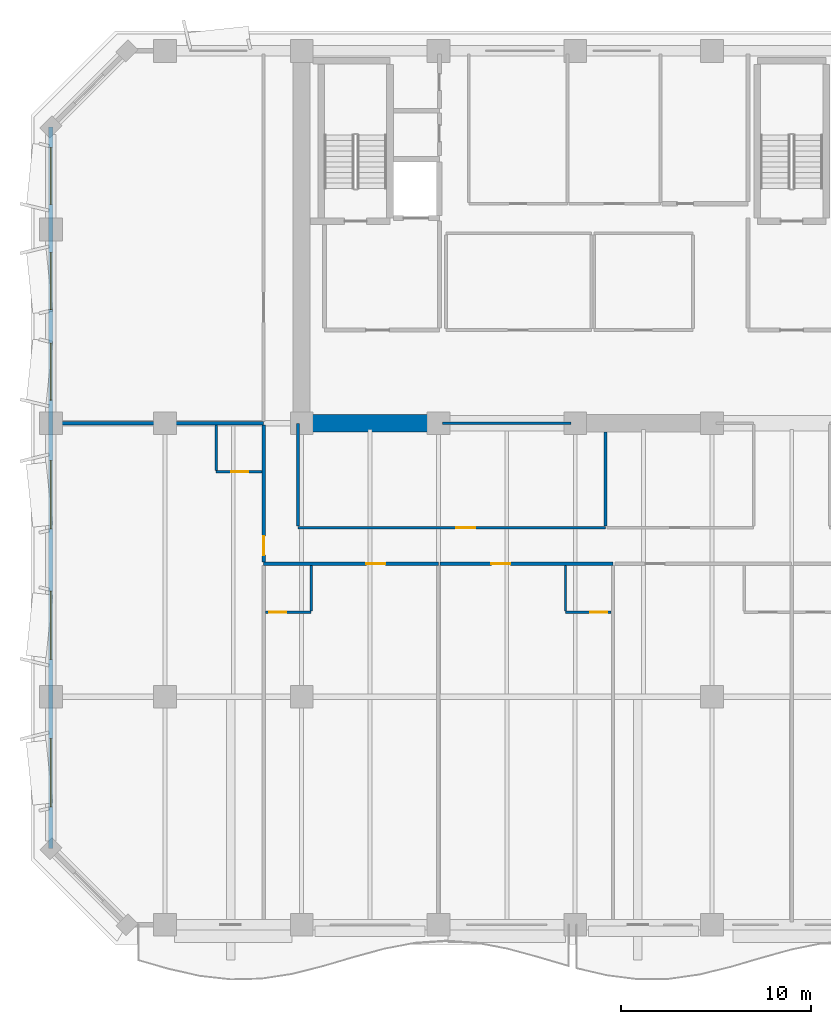
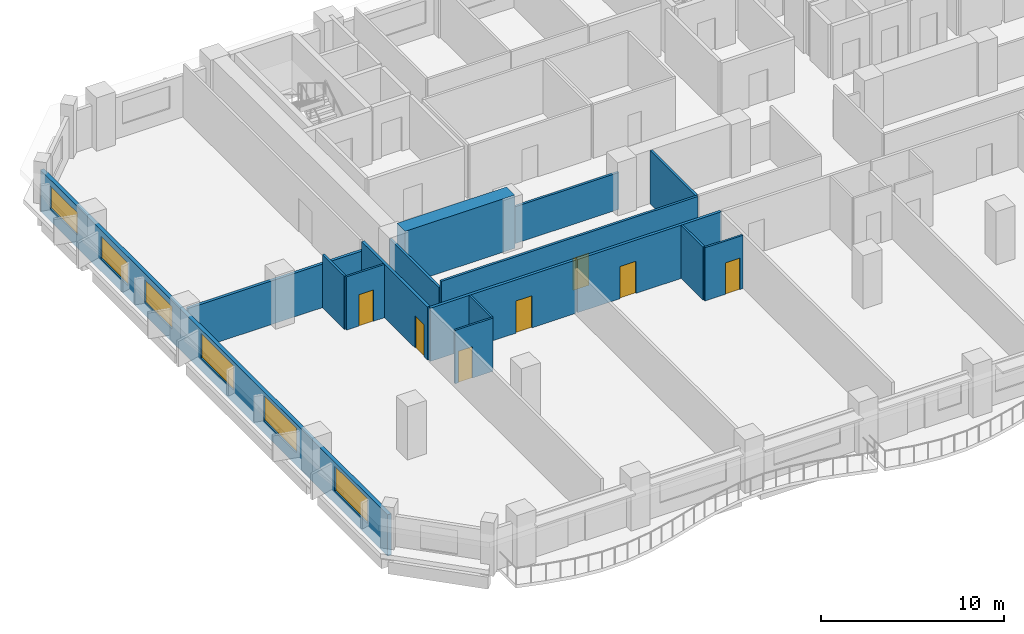
# One storey, part 4 of 14: 16 walls, 7 doors, 6 windows, 13 openings.
"""IFC4 building model written with IfcOpenShell, lengths in metres."""

from ifc_helpers import new_model, si_unit, direction, frame, frame_2d, origin, place, context, subcontext, project, spatial, rectangle, extrude, material, layer, layer_set, type_object, element, fill, save


model = new_model("IFC4")

# Units and contexts
model_context = context("Model", 3, precision=1e-05, world=origin(), true_north=direction((0.0, 1.0)))
body_context = subcontext(model_context, "Body", "Model", "MODEL_VIEW")
ifc_project = project(units=[si_unit("LENGTHUNIT", "METRE"), si_unit("AREAUNIT", "SQUARE_METRE"), si_unit("VOLUMEUNIT", "CUBIC_METRE"), si_unit("PLANEANGLEUNIT", "RADIAN"), si_unit("MASSUNIT", "GRAM", prefix="KILO")], contexts=[model_context])

# Site, building, storey
site_placement = place(None, origin())
site = spatial("IfcSite", under=ifc_project, at=site_placement, CompositionType="ELEMENT")
building_placement = place(site_placement, origin())
building = spatial("IfcBuilding", under=site, at=building_placement, Name="Kaelvorn Grand Hotel", CompositionType="ELEMENT")
storey_placement = place(building_placement, frame((0.0, 0.0, 193.949951171875)))
storey = spatial("IfcBuildingStorey", under=building, at=storey_placement, Name="L47", CompositionType="ELEMENT", Elevation=193.949951171875)

# Wall
ifc_material_1 = material(Name="Concrete C60/75", Category="concrete")
ifc_layer_1 = layer(ifc_material_1, 0.89990234375)
ifc_layer_set_1 = layer_set([ifc_layer_1], Name="Concrete C60/75")
wall_type_1 = type_object("IfcWallType", Name="WL-CORE-900-C60", PredefinedType="SHEAR", material=ifc_layer_set_1)
wall_1_placement = place(storey_placement, frame((16.655029296875, 29.39990234375, 0.0), z_axis=(0.0, 0.0, 1.0), x_axis=(1.0, 0.0, 0.0)))
element("IfcWall", 1, at=wall_1_placement, inside=storey, type_object=wall_type_1, Name="L47 Rear-Core Coupled Shear Pier S1", PredefinedType="SHEAR", context=body_context, shape_type="SweptSolid", body=[
    extrude(rectangle(XDim=6.945068359375, YDim=0.89990234375, at=frame_2d((3.47265625, 0.0))), origin(), (0.0, 0.0, 1.0), 3.56005859375),
])

# Wall, openings, windows
ifc_material_2 = material(Name="Concrete C40/50", Category="concrete")
ifc_layer_2 = layer(ifc_material_2, 0.239990234375)
ifc_layer_set_2 = layer_set([ifc_layer_2], Name="Concrete C40/50")
wall_type_2 = type_object("IfcWallType", Name="WL-EXT-240-C40", PredefinedType="SOLIDWALL", material=ifc_layer_set_2)
wall_2_placement = place(storey_placement, frame((3.0, 45.0, 0.0), z_axis=(0.0, 0.0, 1.0), x_axis=(0.0, -1.0, 0.0)))
wall_2 = element("IfcWall", 2, at=wall_2_placement, inside=storey, type_object=wall_type_2, Name="L47 Exterior Architectural Concrete Wall 07", PredefinedType="SOLIDWALL", context=body_context, shape_type="SweptSolid", body=[
    extrude(rectangle(XDim=38.0, YDim=0.239990234375, at=frame_2d((19.0, 0.0))), origin(), (0.0, 0.0, 1.0), 2.760009765625),
])
opening_1_placement = place(wall_2_placement, frame((32.199951171875, 0.0, 0.85009765625)))
opening_1 = element("IfcOpeningElement", 3, at=opening_1_placement, cuts=wall_2, Name="Opening W3", PredefinedType="OPENING", context=body_context, shape_type="SweptSolid", body=[
    extrude(rectangle(XDim=3.60009765625, YDim=1.64990234375, at=frame_2d((1.800048828125, 0.824951171875))), frame((0.0, 0.1298828125, 0.0), z_axis=(0.0, -1.0, 0.0), x_axis=(1.0, 0.0, 0.0)), (0.0, 0.0, 1.0), 0.260009765625),
])
opening_2_placement = place(wall_2_placement, frame((24.43505859375, 0.0, 0.85009765625)))
opening_2 = element("IfcOpeningElement", 4, at=opening_2_placement, cuts=wall_2, Name="Opening W3", PredefinedType="OPENING", context=body_context, shape_type="SweptSolid", body=[
    extrude(rectangle(XDim=3.60009765625, YDim=1.64990234375, at=frame_2d((1.800048828125, 0.824951171875))), frame((0.0, 0.1298828125, 0.0), z_axis=(0.0, -1.0, 0.0), x_axis=(1.0, 0.0, 0.0)), (0.0, 0.0, 1.0), 0.260009765625),
])
opening_3_placement = place(wall_2_placement, frame((17.56494140625, 0.0, 0.85009765625)))
opening_3 = element("IfcOpeningElement", 5, at=opening_3_placement, cuts=wall_2, Name="Opening W3", PredefinedType="OPENING", context=body_context, shape_type="SweptSolid", body=[
    extrude(rectangle(XDim=3.60009765625, YDim=1.64990234375, at=frame_2d((1.800048828125, 0.824951171875))), frame((0.0, 0.1298828125, 0.0), z_axis=(0.0, -1.0, 0.0), x_axis=(1.0, 0.0, 0.0)), (0.0, 0.0, 1.0), 0.260009765625),
])
opening_4_placement = place(wall_2_placement, frame((11.385009765625, 0.0, 0.85009765625)))
opening_4 = element("IfcOpeningElement", 6, at=opening_4_placement, cuts=wall_2, Name="Opening W5", PredefinedType="OPENING", context=body_context, shape_type="SweptSolid", body=[
    extrude(rectangle(XDim=3.0, YDim=1.5, at=frame_2d((1.5, 0.75))), frame((0.0, 0.1298828125, 0.0), z_axis=(0.0, -1.0, 0.0), x_axis=(1.0, 0.0, 0.0)), (0.0, 0.0, 1.0), 0.260009765625),
])
opening_5_placement = place(wall_2_placement, frame((6.614990234375, 0.0, 0.85009765625)))
opening_5 = element("IfcOpeningElement", 7, at=opening_5_placement, cuts=wall_2, Name="Opening W5", PredefinedType="OPENING", context=body_context, shape_type="SweptSolid", body=[
    extrude(rectangle(XDim=3.0, YDim=1.5, at=frame_2d((1.5, 0.75))), frame((0.0, 0.1298828125, 0.0), z_axis=(0.0, -1.0, 0.0), x_axis=(1.0, 0.0, 0.0)), (0.0, 0.0, 1.0), 0.260009765625),
])
opening_6_placement = place(wall_2_placement, frame((1.0849609375, 0.0, 0.85009765625)))
opening_6 = element("IfcOpeningElement", 8, at=opening_6_placement, cuts=wall_2, Name="Opening W5", PredefinedType="OPENING", context=body_context, shape_type="SweptSolid", body=[
    extrude(rectangle(XDim=3.0, YDim=1.5, at=frame_2d((1.5, 0.75))), frame((0.0, 0.1298828125, 0.0), z_axis=(0.0, -1.0, 0.0), x_axis=(1.0, 0.0, 0.0)), (0.0, 0.0, 1.0), 0.260009765625),
])
ifc_material_3 = material(Name="Laminated Low-E Glass", Category="glass")
window_type_1 = type_object("IfcWindowType", Name="WIN-NTH-3000x1500", PartitioningType="SINGLE_PANEL", PredefinedType="WINDOW", material=ifc_material_3)
window_1_placement = place(opening_4_placement, origin())
window_1 = element("IfcWindow", 9, at=window_1_placement, inside=storey, type_object=window_type_1, Name="L47 W Wing Tilted-Frame Ribbon Window W04", OverallHeight=1.5, OverallWidth=3.0, PartitioningType="SINGLE_PANEL", PredefinedType="WINDOW", context=body_context, shape_type="SweptSolid", body=[
    extrude(rectangle(XDim=3.0, YDim=1.5, at=frame_2d((1.5, 0.75))), frame((0.0, 0.030029296875, 0.0), z_axis=(0.0, -1.0, 0.0), x_axis=(1.0, 0.0, 0.0)), (0.0, 0.0, 1.0), 0.06005859375),
])
fill(opening_4, window_1)
window_2_placement = place(opening_5_placement, origin())
window_2 = element("IfcWindow", 10, at=window_2_placement, inside=storey, type_object=window_type_1, Name="L47 W Wing Tilted-Frame Ribbon Window W05", OverallHeight=1.5, OverallWidth=3.0, PartitioningType="SINGLE_PANEL", PredefinedType="WINDOW", context=body_context, shape_type="SweptSolid", body=[
    extrude(rectangle(XDim=3.0, YDim=1.5, at=frame_2d((1.5, 0.75))), frame((0.0, 0.030029296875, 0.0), z_axis=(0.0, -1.0, 0.0), x_axis=(1.0, 0.0, 0.0)), (0.0, 0.0, 1.0), 0.06005859375),
])
fill(opening_5, window_2)
window_3_placement = place(opening_6_placement, origin())
window_3 = element("IfcWindow", 11, at=window_3_placement, inside=storey, type_object=window_type_1, Name="L47 W Wing Tilted-Frame Ribbon Window W06", OverallHeight=1.5, OverallWidth=3.0, PartitioningType="SINGLE_PANEL", PredefinedType="WINDOW", context=body_context, shape_type="SweptSolid", body=[
    extrude(rectangle(XDim=3.0, YDim=1.5, at=frame_2d((1.5, 0.75))), frame((0.0, 0.030029296875, 0.0), z_axis=(0.0, -1.0, 0.0), x_axis=(1.0, 0.0, 0.0)), (0.0, 0.0, 1.0), 0.06005859375),
])
fill(opening_6, window_3)
window_type_2 = type_object("IfcWindowType", Name="WIN-RIB-3600x1750", PartitioningType="SINGLE_PANEL", PredefinedType="WINDOW", material=ifc_material_3)
window_4_placement = place(opening_1_placement, origin())
window_4 = element("IfcWindow", 12, at=window_4_placement, inside=storey, type_object=window_type_2, Name="L47 W Wing Tilted-Frame Ribbon Window W01", OverallHeight=1.64990234375, OverallWidth=3.60009765625, PartitioningType="SINGLE_PANEL", PredefinedType="WINDOW", context=body_context, shape_type="SweptSolid", body=[
    extrude(rectangle(XDim=3.60009765625, YDim=1.64990234375, at=frame_2d((1.800048828125, 0.824951171875))), frame((0.0, 0.030029296875, 0.0), z_axis=(0.0, -1.0, 0.0), x_axis=(1.0, 0.0, 0.0)), (0.0, 0.0, 1.0), 0.06005859375),
])
fill(opening_1, window_4)
window_5_placement = place(opening_2_placement, origin())
window_5 = element("IfcWindow", 13, at=window_5_placement, inside=storey, type_object=window_type_2, Name="L47 W Wing Tilted-Frame Ribbon Window W02", OverallHeight=1.64990234375, OverallWidth=3.60009765625, PartitioningType="SINGLE_PANEL", PredefinedType="WINDOW", context=body_context, shape_type="SweptSolid", body=[
    extrude(rectangle(XDim=3.60009765625, YDim=1.64990234375, at=frame_2d((1.800048828125, 0.824951171875))), frame((0.0, 0.030029296875, 0.0), z_axis=(0.0, -1.0, 0.0), x_axis=(1.0, 0.0, 0.0)), (0.0, 0.0, 1.0), 0.06005859375),
])
fill(opening_2, window_5)
window_6_placement = place(opening_3_placement, origin())
window_6 = element("IfcWindow", 14, at=window_6_placement, inside=storey, type_object=window_type_2, Name="L47 W Wing Tilted-Frame Ribbon Window W03", OverallHeight=1.64990234375, OverallWidth=3.60009765625, PartitioningType="SINGLE_PANEL", PredefinedType="WINDOW", context=body_context, shape_type="SweptSolid", body=[
    extrude(rectangle(XDim=3.60009765625, YDim=1.64990234375, at=frame_2d((1.800048828125, 0.824951171875))), frame((0.0, 0.030029296875, 0.0), z_axis=(0.0, -1.0, 0.0), x_axis=(1.0, 0.0, 0.0)), (0.0, 0.0, 1.0), 0.06005859375),
])
fill(opening_3, window_6)

# Wall, opening, door
ifc_material_4 = material(Name="Moisture-Resistant Tile & Stud Board")
ifc_layer_3 = layer(ifc_material_4, 0.125)
ifc_layer_set_3 = layer_set([ifc_layer_3], Name="Moisture-Resistant Tile & Stud Board")
wall_type_3 = type_object("IfcWallType", Name="WL-PART-125-WET", PredefinedType="PARTITIONING", material=ifc_layer_set_3)
wall_3_placement = place(storey_placement, frame((14.294921875, 19.449951171875, 0.0), z_axis=(0.0, 0.0, 1.0), x_axis=(1.0, 0.0, 0.0)))
wall_3 = element("IfcWall", 15, at=wall_3_placement, inside=storey, type_object=wall_type_3, Name="L47 En-suite Bathroom L47-01 S Partition", PredefinedType="PARTITIONING", context=body_context, shape_type="SweptSolid", body=[
    extrude(rectangle(XDim=2.405029296875, YDim=0.125, at=frame_2d((1.20263671875, 0.0))), origin(), (0.0, 0.0, 1.0), 3.56005859375),
])
opening_7_placement = place(wall_3_placement, frame((0.205078125, 0.0, 0.0)))
opening_7 = element("IfcOpeningElement", 16, at=opening_7_placement, cuts=wall_3, Name="Opening DI4", PredefinedType="OPENING", context=body_context, shape_type="SweptSolid", body=[
    extrude(rectangle(XDim=0.89990234375, YDim=2.10009765625, at=frame_2d((0.449951171875, 1.050048828125))), frame((0.0, 0.072509765625, 0.0), z_axis=(0.0, -1.0, 0.0), x_axis=(1.0, 0.0, 0.0)), (0.0, 0.0, 1.0), 0.14501953125),
])
ifc_material_5 = material(Name="Timber Veneer Leaf", Category="wood")
door_type_1 = type_object("IfcDoorType", Name="DR-INT-BATH-900x2100", OperationType="NOTDEFINED", PredefinedType="DOOR", material=ifc_material_5)
door_1_placement = place(opening_7_placement, origin())
door_1 = element("IfcDoor", 17, at=door_1_placement, inside=storey, type_object=door_type_1, Name="L47 En-suite Bathroom L47-01 Door", OperationType="SINGLE_SWING_LEFT", OverallHeight=2.10009765625, OverallWidth=0.89990234375, PredefinedType="DOOR", context=body_context, shape_type="SweptSolid", body=[
    extrude(rectangle(XDim=0.89990234375, YDim=2.10009765625, at=frame_2d((0.449951171875, 1.050048828125))), frame((0.0, 0.02490234375, 0.0), z_axis=(0.0, -1.0, 0.0), x_axis=(1.0, 0.0, 0.0)), (0.0, 0.0, 1.0), 0.050048828125),
])
fill(opening_7, door_1)

# Wall
wall_4_placement = place(storey_placement, frame((16.699951171875, 19.517578125, 0.0), z_axis=(0.0, 0.0, 1.0), x_axis=(0.0, 1.0, 0.0)))
element("IfcWall", 18, at=wall_4_placement, inside=storey, type_object=wall_type_3, Name="L47 En-suite Bathroom L47-01 E Partition", PredefinedType="PARTITIONING", context=body_context, shape_type="SweptSolid", body=[
    extrude(rectangle(XDim=2.387451171875, YDim=0.125, at=frame_2d((1.19384765625, 0.0))), origin(), (0.0, 0.0, 1.0), 3.56005859375),
])

# Wall, opening, door
wall_5_placement = place(storey_placement, frame((30.0908203125, 19.449951171875, 0.0), z_axis=(0.0, 0.0, 1.0), x_axis=(1.0, 0.0, 0.0)))
wall_5 = element("IfcWall", 19, at=wall_5_placement, inside=storey, type_object=wall_type_3, Name="L47 En-suite Bathroom L47-02 S Partition", PredefinedType="PARTITIONING", context=body_context, shape_type="SweptSolid", body=[
    extrude(rectangle(XDim=2.405029296875, YDim=0.125, at=frame_2d((1.20263671875, 0.0))), origin(), (0.0, 0.0, 1.0), 3.56005859375),
])
opening_8_placement = place(wall_5_placement, frame((1.300048828125, 0.0, 0.0)))
opening_8 = element("IfcOpeningElement", 20, at=opening_8_placement, cuts=wall_5, Name="Opening DI4", PredefinedType="OPENING", context=body_context, shape_type="SweptSolid", body=[
    extrude(rectangle(XDim=0.89990234375, YDim=2.10009765625, at=frame_2d((0.449951171875, 1.050048828125))), frame((0.0, 0.072509765625, 0.0), z_axis=(0.0, -1.0, 0.0), x_axis=(1.0, 0.0, 0.0)), (0.0, 0.0, 1.0), 0.14501953125),
])
door_2_placement = place(opening_8_placement, origin())
door_2 = element("IfcDoor", 21, at=door_2_placement, inside=storey, type_object=door_type_1, Name="L47 En-suite Bathroom L47-02 Door", OperationType="SINGLE_SWING_LEFT", OverallHeight=2.10009765625, OverallWidth=0.89990234375, PredefinedType="DOOR", context=body_context, shape_type="SweptSolid", body=[
    extrude(rectangle(XDim=0.89990234375, YDim=2.10009765625, at=frame_2d((0.449951171875, 1.050048828125))), frame((0.0, 0.02490234375, 0.0), z_axis=(0.0, -1.0, 0.0), x_axis=(1.0, 0.0, 0.0)), (0.0, 0.0, 1.0), 0.050048828125),
])
fill(opening_8, door_2)

# Wall
wall_6_placement = place(storey_placement, frame((30.0908203125, 19.517578125, 0.0), z_axis=(0.0, 0.0, 1.0), x_axis=(0.0, 1.0, 0.0)))
element("IfcWall", 22, at=wall_6_placement, inside=storey, type_object=wall_type_3, Name="L47 En-suite Bathroom L47-02 W Partition", PredefinedType="PARTITIONING", context=body_context, shape_type="SweptSolid", body=[
    extrude(rectangle(XDim=2.387451171875, YDim=0.125, at=frame_2d((1.19384765625, 0.0))), origin(), (0.0, 0.0, 1.0), 3.56005859375),
])

# Wall, opening, door
wall_7_placement = place(storey_placement, frame((11.699951171875, 26.85009765625, 0.0), z_axis=(0.0, 0.0, 1.0), x_axis=(1.0, 0.0, 0.0)))
wall_7 = element("IfcWall", 23, at=wall_7_placement, inside=storey, type_object=wall_type_3, Name="L47 En-suite Bathroom L47-07 S Partition", PredefinedType="PARTITIONING", context=body_context, shape_type="SweptSolid", body=[
    extrude(rectangle(XDim=2.405029296875, YDim=0.125, at=frame_2d((1.20263671875, 0.0))), origin(), (0.0, 0.0, 1.0), 3.56005859375),
])
opening_9_placement = place(wall_7_placement, frame((0.800048828125, 0.0, 0.0)))
opening_9 = element("IfcOpeningElement", 24, at=opening_9_placement, cuts=wall_7, Name="Opening DI4", PredefinedType="OPENING", context=body_context, shape_type="SweptSolid", body=[
    extrude(rectangle(XDim=0.89990234375, YDim=2.10009765625, at=frame_2d((0.449951171875, 1.050048828125))), frame((0.0, 0.072509765625, 0.0), z_axis=(0.0, -1.0, 0.0), x_axis=(1.0, 0.0, 0.0)), (0.0, 0.0, 1.0), 0.14501953125),
])
door_3_placement = place(opening_9_placement, origin())
door_3 = element("IfcDoor", 25, at=door_3_placement, inside=storey, type_object=door_type_1, Name="L47 En-suite Bathroom L47-07 Door", OperationType="SINGLE_SWING_LEFT", OverallHeight=2.10009765625, OverallWidth=0.89990234375, PredefinedType="DOOR", context=body_context, shape_type="SweptSolid", body=[
    extrude(rectangle(XDim=0.89990234375, YDim=2.10009765625, at=frame_2d((0.449951171875, 1.050048828125))), frame((0.0, 0.02490234375, 0.0), z_axis=(0.0, -1.0, 0.0), x_axis=(1.0, 0.0, 0.0)), (0.0, 0.0, 1.0), 0.050048828125),
])
fill(opening_9, door_3)

# Wall
wall_8_placement = place(storey_placement, frame((11.699951171875, 26.91748046875, 0.0), z_axis=(0.0, 0.0, 1.0), x_axis=(0.0, 1.0, 0.0)))
element("IfcWall", 26, at=wall_8_placement, inside=storey, type_object=wall_type_3, Name="L47 En-suite Bathroom L47-07 W Partition", PredefinedType="PARTITIONING", context=body_context, shape_type="SweptSolid", body=[
    extrude(rectangle(XDim=2.387451171875, YDim=0.125, at=frame_2d((1.19384765625, 0.0))), origin(), (0.0, 0.0, 1.0), 3.56005859375),
])

# Wall, opening, door
ifc_material_6 = material(Name="Acoustic Gypsum & Stud Partition")
ifc_layer_4 = layer(ifc_material_6, 0.14990234375)
ifc_layer_set_4 = layer_set([ifc_layer_4], Name="Acoustic Gypsum & Stud Partition")
wall_type_4 = type_object("IfcWallType", Name="WL-PART-150-EI60", PredefinedType="PARTITIONING", material=ifc_layer_set_4)
wall_9_placement = place(storey_placement, frame((16.0, 23.89990234375, 0.0), z_axis=(0.0, 0.0, 1.0), x_axis=(1.0, 0.0, 0.0)))
wall_9 = element("IfcWall", 27, at=wall_9_placement, inside=storey, type_object=wall_type_4, Name="L47 Art Gallery Salon S Partition", PredefinedType="PARTITIONING", context=body_context, shape_type="SweptSolid", body=[
    extrude(rectangle(XDim=16.199951171875, YDim=0.14990234375, at=frame_2d((8.10009765625, 0.0))), origin(), (0.0, 0.0, 1.0), 3.56005859375),
])
opening_10_placement = place(wall_9_placement, frame((8.35009765625, 0.0, 0.0)))
opening_10 = element("IfcOpeningElement", 28, at=opening_10_placement, cuts=wall_9, Name="Opening DI3", PredefinedType="OPENING", context=body_context, shape_type="SweptSolid", body=[
    extrude(rectangle(XDim=1.0, YDim=2.14990234375, at=frame_2d((0.5, 1.074951171875))), frame((0.0, 0.0849609375, 0.0), z_axis=(0.0, -1.0, 0.0), x_axis=(1.0, 0.0, 0.0)), (0.0, 0.0, 1.0), 0.169921875),
])
ifc_material_7 = material(Name="Timber Veneer Fire Leaf", Category="wood")
door_type_2 = type_object("IfcDoorType", Name="DR-INT-GUEST-1000x2150", OperationType="NOTDEFINED", PredefinedType="DOOR", material=ifc_material_7)
door_4_placement = place(opening_10_placement, origin())
door_4 = element("IfcDoor", 29, at=door_4_placement, inside=storey, type_object=door_type_2, Name="L47 Art Gallery Salon Door", OperationType="SINGLE_SWING_RIGHT", OverallHeight=2.14990234375, OverallWidth=1.0, PredefinedType="DOOR", context=body_context, shape_type="SweptSolid", body=[
    extrude(rectangle(XDim=1.0, YDim=2.14990234375, at=frame_2d((0.5, 1.074951171875))), frame((0.0, 0.02490234375, 0.0), z_axis=(0.0, -1.0, 0.0), x_axis=(1.0, 0.0, 0.0)), (0.0, 0.0, 1.0), 0.050048828125),
])
fill(opening_10, door_4)

# Walls
wall_10_placement = place(storey_placement, frame((23.610107421875, 29.39990234375, 0.0), z_axis=(0.0, 0.0, 1.0), x_axis=(1.0, 0.0, 0.0)))
element("IfcWall", 30, at=wall_10_placement, inside=storey, type_object=wall_type_4, Name="L47 Art Gallery Salon N Partition", PredefinedType="PARTITIONING", context=body_context, shape_type="SweptSolid", body=[
    extrude(rectangle(XDim=6.77978515625, YDim=0.14990234375, at=frame_2d((3.389892578125, 0.0))), origin(), (0.0, 0.0, 1.0), 2.4599609375),
])
wall_11_placement = place(storey_placement, frame((16.0, 23.97998046875, 0.0), z_axis=(0.0, 0.0, 1.0), x_axis=(0.0, 1.0, 0.0)))
element("IfcWall", 31, at=wall_11_placement, inside=storey, type_object=wall_type_4, Name="L47 Art Gallery Salon W Partition", PredefinedType="PARTITIONING", context=body_context, shape_type="SweptSolid", body=[
    extrude(rectangle(XDim=5.409912109375, YDim=0.14990234375, at=frame_2d((2.705078125, 0.0))), origin(), (0.0, 0.0, 1.0), 3.06005859375),
])
wall_12_placement = place(storey_placement, frame((32.199951171875, 23.97998046875, 0.0), z_axis=(0.0, 0.0, 1.0), x_axis=(0.0, 1.0, 0.0)))
element("IfcWall", 32, at=wall_12_placement, inside=storey, type_object=wall_type_4, Name="L47 Art Gallery Salon E Partition", PredefinedType="PARTITIONING", context=body_context, shape_type="SweptSolid", body=[
    extrude(rectangle(XDim=4.965087890625, YDim=0.14990234375, at=frame_2d((2.482421875, 0.0))), origin(), (0.0, 0.0, 1.0), 3.56005859375),
])

# Wall, opening, door
ifc_layer_5 = layer(ifc_material_6, 0.179931640625)
ifc_layer_set_5 = layer_set([ifc_layer_5], Name="Acoustic Gypsum & Stud Partition")
wall_type_5 = type_object("IfcWallType", Name="WL-PART-180-EI60", PredefinedType="PARTITIONING", material=ifc_layer_set_5)
wall_13_placement = place(storey_placement, frame((14.199951171875, 22.0, 0.0), z_axis=(0.0, 0.0, 1.0), x_axis=(1.0, 0.0, 0.0)))
wall_13 = element("IfcWall", 33, at=wall_13_placement, inside=storey, type_object=wall_type_5, Name="L47 Mid-Rise Signature Suite L47-01 N Partition", PredefinedType="PARTITIONING", context=body_context, shape_type="SweptSolid", body=[
    extrude(rectangle(XDim=9.195556640625, YDim=0.179931640625, at=frame_2d((4.59765625, 0.0))), origin(), (0.0, 0.0, 1.0), 3.56005859375),
])
opening_11_placement = place(wall_13_placement, frame((5.409912109375, 0.0, 0.0)))
opening_11 = element("IfcOpeningElement", 34, at=opening_11_placement, cuts=wall_13, Name="Opening DI3", PredefinedType="OPENING", context=body_context, shape_type="SweptSolid", body=[
    extrude(rectangle(XDim=1.0, YDim=2.14990234375, at=frame_2d((0.5, 1.074951171875))), frame((0.0, 0.10009765625, 0.0), z_axis=(0.0, -1.0, 0.0), x_axis=(1.0, 0.0, 0.0)), (0.0, 0.0, 1.0), 0.199951171875),
])
door_5_placement = place(opening_11_placement, origin())
door_5 = element("IfcDoor", 35, at=door_5_placement, inside=storey, type_object=door_type_2, Name="L47 Mid-Rise Signature Suite L47-01 Door", OperationType="SINGLE_SWING_RIGHT", OverallHeight=2.14990234375, OverallWidth=1.0, PredefinedType="DOOR", context=body_context, shape_type="SweptSolid", body=[
    extrude(rectangle(XDim=1.0, YDim=2.14990234375, at=frame_2d((0.5, 1.074951171875))), frame((0.0, 0.02490234375, 0.0), z_axis=(0.0, -1.0, 0.0), x_axis=(1.0, 0.0, 0.0)), (0.0, 0.0, 1.0), 0.050048828125),
])
fill(opening_11, door_5)

wall_14_placement = place(storey_placement, frame((23.490478515625, 22.0, 0.0), z_axis=(0.0, 0.0, 1.0), x_axis=(1.0, 0.0, 0.0)))
wall_14 = element("IfcWall", 36, at=wall_14_placement, inside=storey, type_object=wall_type_5, Name="L47 Mid-Rise Signature Suite L47-02 N Partition", PredefinedType="PARTITIONING", context=body_context, shape_type="SweptSolid", body=[
    extrude(rectangle(XDim=9.100341796875, YDim=0.179931640625, at=frame_2d((4.55029296875, 0.0))), origin(), (0.0, 0.0, 1.0), 3.56005859375),
])
opening_12_placement = place(wall_14_placement, frame((2.695068359375, 0.0, 0.0)))
opening_12 = element("IfcOpeningElement", 37, at=opening_12_placement, cuts=wall_14, Name="Opening DI3", PredefinedType="OPENING", context=body_context, shape_type="SweptSolid", body=[
    extrude(rectangle(XDim=1.0, YDim=2.14990234375, at=frame_2d((0.5, 1.074951171875))), frame((0.0, 0.10009765625, 0.0), z_axis=(0.0, -1.0, 0.0), x_axis=(1.0, 0.0, 0.0)), (0.0, 0.0, 1.0), 0.199951171875),
])
door_6_placement = place(opening_12_placement, origin())
door_6 = element("IfcDoor", 38, at=door_6_placement, inside=storey, type_object=door_type_2, Name="L47 Mid-Rise Signature Suite L47-02 Door", OperationType="SINGLE_SWING_RIGHT", OverallHeight=2.14990234375, OverallWidth=1.0, PredefinedType="DOOR", context=body_context, shape_type="SweptSolid", body=[
    extrude(rectangle(XDim=1.0, YDim=2.14990234375, at=frame_2d((0.5, 1.074951171875))), frame((0.0, 0.02490234375, 0.0), z_axis=(0.0, -1.0, 0.0), x_axis=(1.0, 0.0, 0.0)), (0.0, 0.0, 1.0), 0.050048828125),
])
fill(opening_12, door_6)

# Wall
wall_15_placement = place(storey_placement, frame((3.14990234375, 29.39990234375, 0.0), z_axis=(0.0, 0.0, 1.0), x_axis=(1.0, 0.0, 0.0)))
element("IfcWall", 39, at=wall_15_placement, inside=storey, type_object=wall_type_5, Name="L47 Presidential Sky Suite L47-07 N Partition", PredefinedType="PARTITIONING", context=body_context, shape_type="SweptSolid", body=[
    extrude(rectangle(XDim=11.050048828125, YDim=0.179931640625, at=frame_2d((5.52490234375, 0.0))), origin(), (0.0, 0.0, 1.0), 2.91015625),
])

# Wall, opening, door
wall_16_placement = place(storey_placement, frame((14.199951171875, 22.094970703125, 0.0), z_axis=(0.0, 0.0, 1.0), x_axis=(0.0, 1.0, 0.0)))
wall_16 = element("IfcWall", 40, at=wall_16_placement, inside=storey, type_object=wall_type_5, Name="L47 Presidential Sky Suite L47-07 E Partition", PredefinedType="PARTITIONING", context=body_context, shape_type="SweptSolid", body=[
    extrude(rectangle(XDim=7.2099609375, YDim=0.179931640625, at=frame_2d((3.60498046875, 0.0))), origin(), (0.0, 0.0, 1.0), 3.56005859375),
])
opening_13_placement = place(wall_16_placement, frame((0.35498046875, 0.0, 0.0)))
opening_13 = element("IfcOpeningElement", 41, at=opening_13_placement, cuts=wall_16, Name="Opening DI3", PredefinedType="OPENING", context=body_context, shape_type="SweptSolid", body=[
    extrude(rectangle(XDim=1.0, YDim=2.14990234375, at=frame_2d((0.5, 1.074951171875))), frame((0.0, 0.10009765625, 0.0), z_axis=(0.0, -1.0, 0.0), x_axis=(1.0, 0.0, 0.0)), (0.0, 0.0, 1.0), 0.199951171875),
])
door_7_placement = place(opening_13_placement, origin())
door_7 = element("IfcDoor", 42, at=door_7_placement, inside=storey, type_object=door_type_2, Name="L47 Presidential Sky Suite L47-07 Door", OperationType="SINGLE_SWING_RIGHT", OverallHeight=2.14990234375, OverallWidth=1.0, PredefinedType="DOOR", context=body_context, shape_type="SweptSolid", body=[
    extrude(rectangle(XDim=1.0, YDim=2.14990234375, at=frame_2d((0.5, 1.074951171875))), frame((0.0, 0.02490234375, 0.0), z_axis=(0.0, -1.0, 0.0), x_axis=(1.0, 0.0, 0.0)), (0.0, 0.0, 1.0), 0.050048828125),
])
fill(opening_13, door_7)

save(model, "model.ifc")
